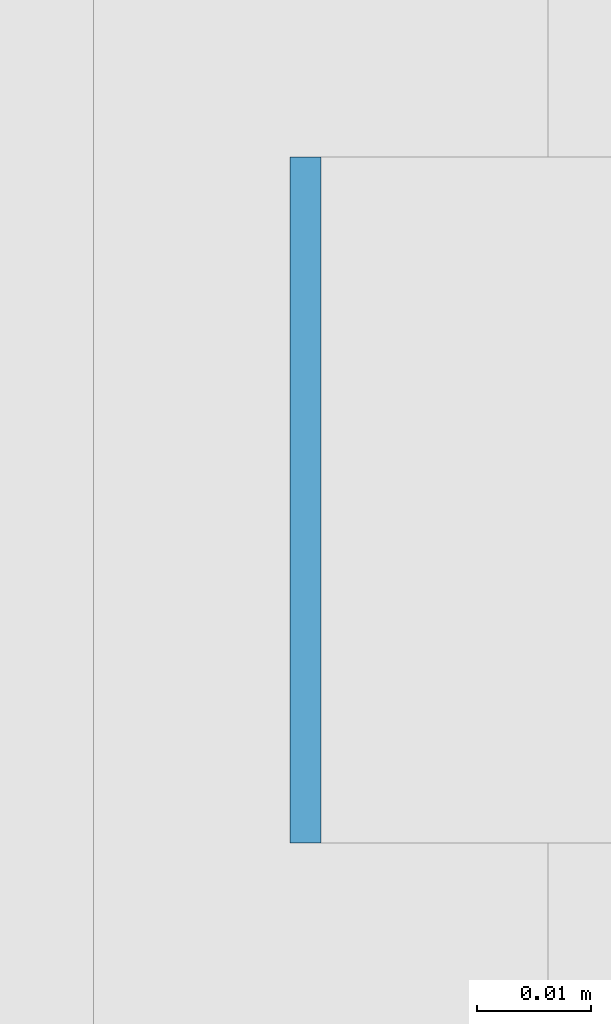
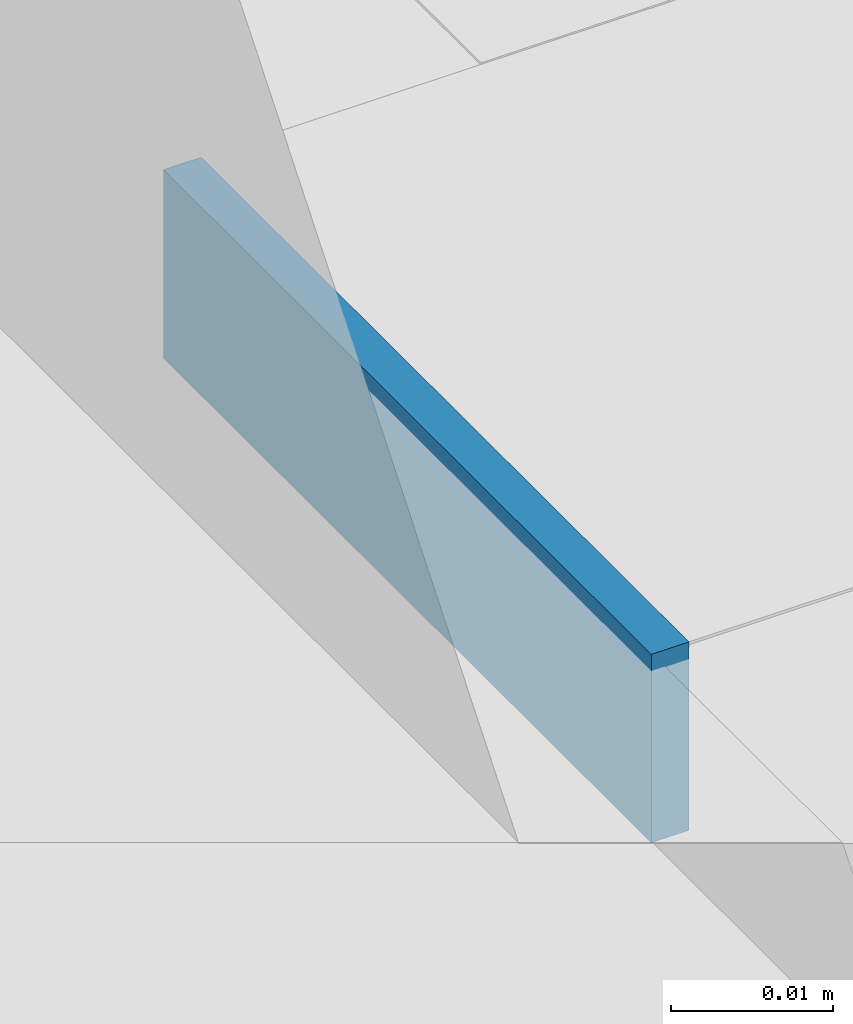
# One storey, part 457 of 646: 1 discrete accessory.
"""IFC4 building model written with IfcOpenShell, lengths in metres."""

from ifc_helpers import new_model, si_unit, direction, frame, origin, origin_2d, place, context, subcontext, project, spatial, rectangle, extrude, material, type_object, element, save


model = new_model("IFC4")

# Units and contexts
model_context = context("Model", 3, precision=1e-05, world=origin(), true_north=direction((0.0, 1.0)))
body_context = subcontext(model_context, "Body", "Model", "MODEL_VIEW")
ifc_project = project(units=[si_unit("LENGTHUNIT", "METRE"), si_unit("AREAUNIT", "SQUARE_METRE"), si_unit("VOLUMEUNIT", "CUBIC_METRE"), si_unit("PLANEANGLEUNIT", "RADIAN"), si_unit("MASSUNIT", "GRAM", prefix="KILO")], contexts=[model_context])

# Site, building, storey
site_placement = place(None, origin())
site = spatial("IfcSite", under=ifc_project, at=site_placement, CompositionType="ELEMENT")
building_placement = place(site_placement, origin())
building = spatial("IfcBuilding", under=site, at=building_placement, Name="Silverbay Arena", CompositionType="ELEMENT")
storey_placement = place(building_placement, frame((0.0, 0.0, 33.5)))
storey = spatial("IfcBuildingStorey", under=building, at=storey_placement, Name="L05", CompositionType="ELEMENT", Elevation=33.5)

# Discrete accessory
ifc_material = material(Name="Steel S355", Category="steel")
discrete_accessory_type = type_object("IfcDiscreteAccessoryType", Name="Steel bracket plate", PredefinedType="BRACKET", material=ifc_material)
discrete_accessory_placement = place(storey_placement, frame((207.128662109375, 43.71435546875, 12.98583984375), z_axis=(0.0, 0.0, 1.0), x_axis=(1.0, 0.0, 0.0)))
element("IfcDiscreteAccessory", 1, at=discrete_accessory_placement, inside=storey, type_object=discrete_accessory_type, Name="Curtain wall packing plate", PredefinedType="BRACKET", context=body_context, shape_type="SweptSolid", body=[
    extrude(rectangle(XDim=0.002685546875, YDim=0.06005859375, at=origin_2d()), origin(), (0.0, 0.0, 1.0), 0.01416015625),
])

save(model, "model.ifc")
